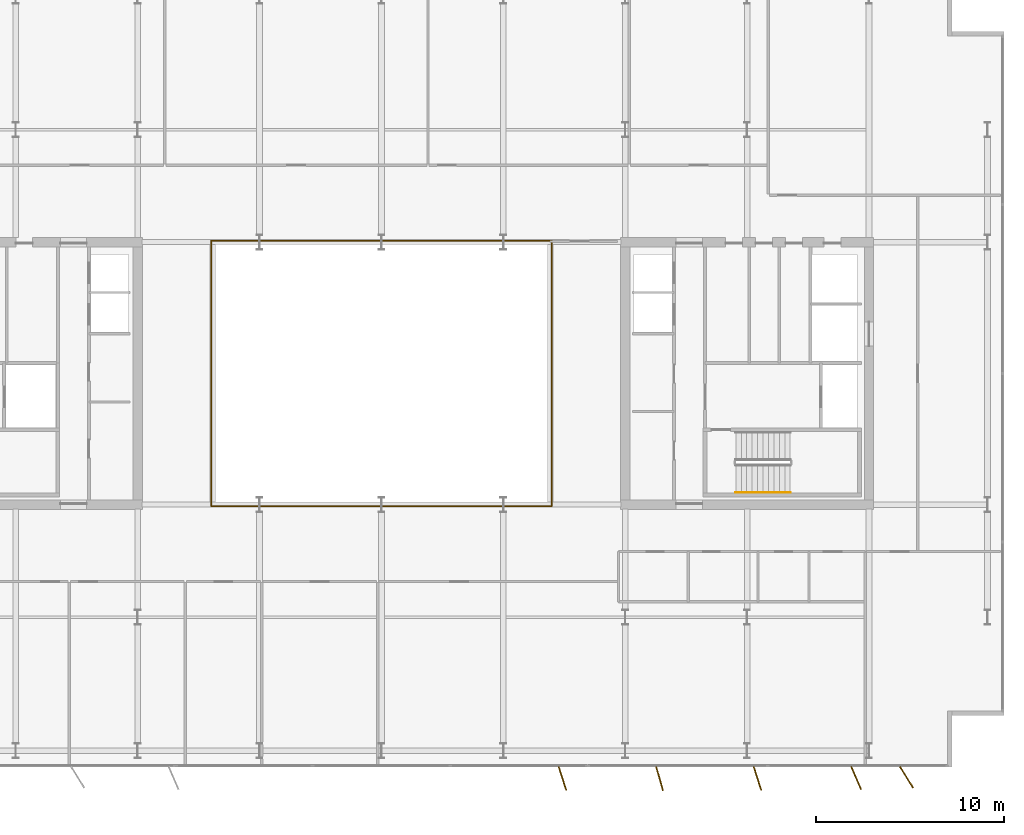
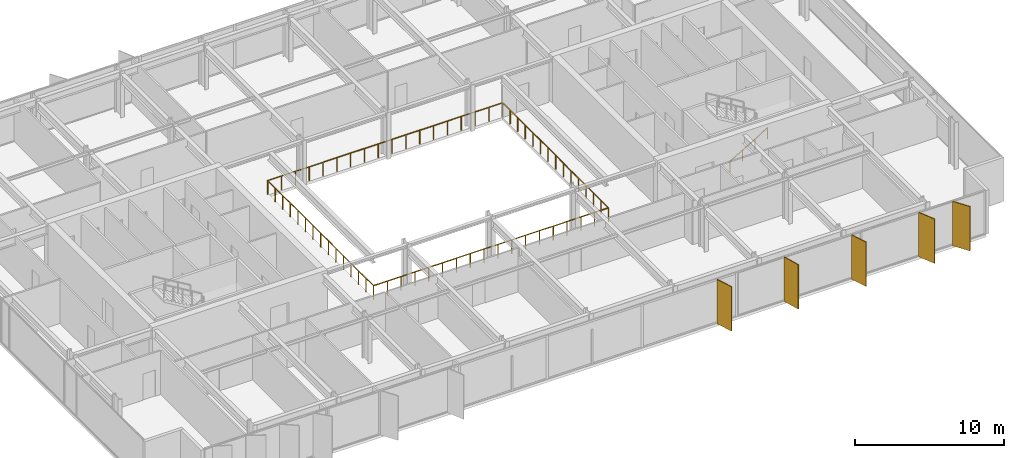
# One storey, part 21 of 23: 5 shading devices, 3 railings.
"""IFC4 building model written with IfcOpenShell, lengths in metres."""

from ifc_helpers import new_model, si_unit, direction, frame, origin, origin_2d, place, context, subcontext, project, spatial, rectangle, circle, extrude, material, layer, layer_set, type_object, element, save


model = new_model("IFC4")

# Units and contexts
model_context = context("Model", 3, precision=1e-05, world=origin(), true_north=direction((0.0, 1.0)))
body_context = subcontext(model_context, "Body", "Model", "MODEL_VIEW")
ifc_project = project(units=[si_unit("LENGTHUNIT", "METRE"), si_unit("AREAUNIT", "SQUARE_METRE"), si_unit("VOLUMEUNIT", "CUBIC_METRE"), si_unit("PLANEANGLEUNIT", "RADIAN"), si_unit("MASSUNIT", "GRAM", prefix="KILO")], contexts=[model_context])

# Site, building, storey
site_placement = place(None, origin())
site = spatial("IfcSite", under=ifc_project, at=site_placement, CompositionType="ELEMENT")
building_placement = place(site_placement, origin())
building = spatial("IfcBuilding", under=site, at=building_placement, Name="Putna Gate Headquarters", CompositionType="ELEMENT")
storey_placement = place(building_placement, frame((0.0, 0.0, 217.60009765625)))
storey = spatial("IfcBuildingStorey", under=building, at=storey_placement, Name="L54", CompositionType="ELEMENT", Elevation=217.60009765625)

# Railings
ifc_material_1 = material(Name="Anodised bronze and laminated glass atrium balustrade", Category="glass")
railing_type_1 = type_object("IfcRailingType", Name="RAIL-ATRIUM-GUARD-1150", PredefinedType="GUARDRAIL", material=ifc_material_1)
railing_1_placement = place(storey_placement, frame((29.919921875, 25.969970703125, 0.0)))
element("IfcRailing", 1, at=railing_1_placement, inside=storey, type_object=railing_type_1, Name="L54 Central Atrium Glazed Balustrade South", PredefinedType="GUARDRAIL", context=body_context, shape_type="SweptSolid", body=[
    extrude(circle(Radius=0.02392578125, at=origin_2d()), frame((0.0, 0.0, 1.1259765625), z_axis=(0.0, -1.0, 0.0), x_axis=(1.0, 0.0, 0.0)), (0.0, 0.0, 1.0), 7.050048828125),
    extrude(circle(Radius=0.02392578125, at=origin_2d()), frame((0.0, -7.050048828125, 1.1259765625), z_axis=(1.0, 0.0, 0.0), x_axis=(0.0, 1.0, 0.0)), (0.0, 0.0, 1.0), 18.16015625),
    extrude(circle(Radius=0.02392578125, at=origin_2d()), frame((18.16015625, -7.050048828125, 1.1259765625), z_axis=(0.0, 1.0, 0.0), x_axis=(-1.0, 0.0, 0.0)), (0.0, 0.0, 1.0), 7.050048828125),
    extrude(circle(Radius=0.02099609375, at=origin_2d()), origin(), (0.0, 0.0, 1.0), 1.101806640625),
    extrude(circle(Radius=0.02099609375, at=origin_2d()), frame((0.0, -1.007080078125, 0.0)), (0.0, 0.0, 1.0), 1.101806640625),
    extrude(circle(Radius=0.02099609375, at=origin_2d()), frame((0.0, -2.014404296875, 0.0)), (0.0, 0.0, 1.0), 1.101806640625),
    extrude(circle(Radius=0.02099609375, at=origin_2d()), frame((0.0, -3.021484375, 0.0)), (0.0, 0.0, 1.0), 1.101806640625),
    extrude(circle(Radius=0.02099609375, at=origin_2d()), frame((0.0, -4.028564453125, 0.0)), (0.0, 0.0, 1.0), 1.101806640625),
    extrude(circle(Radius=0.02099609375, at=origin_2d()), frame((0.0, -5.03564453125, 0.0)), (0.0, 0.0, 1.0), 1.101806640625),
    extrude(circle(Radius=0.02099609375, at=origin_2d()), frame((0.0, -6.04296875, 0.0)), (0.0, 0.0, 1.0), 1.101806640625),
    extrude(circle(Radius=0.02099609375, at=origin_2d()), frame((0.0, -7.050048828125, 0.0)), (0.0, 0.0, 1.0), 1.101806640625),
    extrude(circle(Radius=0.02099609375, at=origin_2d()), frame((1.068359375, -7.050048828125, 0.0)), (0.0, 0.0, 1.0), 1.101806640625),
    extrude(circle(Radius=0.02099609375, at=origin_2d()), frame((2.136474609375, -7.050048828125, 0.0)), (0.0, 0.0, 1.0), 1.101806640625),
    extrude(circle(Radius=0.02099609375, at=origin_2d()), frame((3.204833984375, -7.050048828125, 0.0)), (0.0, 0.0, 1.0), 1.101806640625),
    extrude(circle(Radius=0.02099609375, at=origin_2d()), frame((4.27294921875, -7.050048828125, 0.0)), (0.0, 0.0, 1.0), 1.101806640625),
    extrude(circle(Radius=0.02099609375, at=origin_2d()), frame((5.34130859375, -7.050048828125, 0.0)), (0.0, 0.0, 1.0), 1.101806640625),
    extrude(circle(Radius=0.02099609375, at=origin_2d()), frame((6.409423828125, -7.050048828125, 0.0)), (0.0, 0.0, 1.0), 1.101806640625),
    extrude(circle(Radius=0.02099609375, at=origin_2d()), frame((7.477783203125, -7.050048828125, 0.0)), (0.0, 0.0, 1.0), 1.101806640625),
    extrude(circle(Radius=0.02099609375, at=origin_2d()), frame((8.5458984375, -7.050048828125, 0.0)), (0.0, 0.0, 1.0), 1.101806640625),
    extrude(circle(Radius=0.02099609375, at=origin_2d()), frame((9.6142578125, -7.050048828125, 0.0)), (0.0, 0.0, 1.0), 1.101806640625),
    extrude(circle(Radius=0.02099609375, at=origin_2d()), frame((10.682373046875, -7.050048828125, 0.0)), (0.0, 0.0, 1.0), 1.101806640625),
    extrude(circle(Radius=0.02099609375, at=origin_2d()), frame((11.750732421875, -7.050048828125, 0.0)), (0.0, 0.0, 1.0), 1.101806640625),
    extrude(circle(Radius=0.02099609375, at=origin_2d()), frame((12.81884765625, -7.050048828125, 0.0)), (0.0, 0.0, 1.0), 1.101806640625),
    extrude(circle(Radius=0.02099609375, at=origin_2d()), frame((13.88720703125, -7.050048828125, 0.0)), (0.0, 0.0, 1.0), 1.101806640625),
    extrude(circle(Radius=0.02099609375, at=origin_2d()), frame((14.955322265625, -7.050048828125, 0.0)), (0.0, 0.0, 1.0), 1.101806640625),
    extrude(circle(Radius=0.02099609375, at=origin_2d()), frame((16.023681640625, -7.050048828125, 0.0)), (0.0, 0.0, 1.0), 1.101806640625),
    extrude(circle(Radius=0.02099609375, at=origin_2d()), frame((17.091796875, -7.050048828125, 0.0)), (0.0, 0.0, 1.0), 1.101806640625),
    extrude(circle(Radius=0.02099609375, at=origin_2d()), frame((18.16015625, -7.050048828125, 0.0)), (0.0, 0.0, 1.0), 1.101806640625),
    extrude(circle(Radius=0.02099609375, at=origin_2d()), frame((18.16015625, -6.04296875, 0.0)), (0.0, 0.0, 1.0), 1.101806640625),
    extrude(circle(Radius=0.02099609375, at=origin_2d()), frame((18.16015625, -5.03564453125, 0.0)), (0.0, 0.0, 1.0), 1.101806640625),
    extrude(circle(Radius=0.02099609375, at=origin_2d()), frame((18.16015625, -4.028564453125, 0.0)), (0.0, 0.0, 1.0), 1.101806640625),
    extrude(circle(Radius=0.02099609375, at=origin_2d()), frame((18.16015625, -3.021484375, 0.0)), (0.0, 0.0, 1.0), 1.101806640625),
    extrude(circle(Radius=0.02099609375, at=origin_2d()), frame((18.16015625, -2.014404296875, 0.0)), (0.0, 0.0, 1.0), 1.101806640625),
    extrude(circle(Radius=0.02099609375, at=origin_2d()), frame((18.16015625, -1.007080078125, 0.0)), (0.0, 0.0, 1.0), 1.101806640625),
    extrude(circle(Radius=0.02099609375, at=origin_2d()), frame((18.16015625, 0.0, 0.0)), (0.0, 0.0, 1.0), 1.101806640625),
])
railing_2_placement = place(storey_placement, frame((48.080078125, 26.030029296875, 0.0)))
element("IfcRailing", 2, at=railing_2_placement, inside=storey, type_object=railing_type_1, Name="L54 Central Atrium Glazed Balustrade North", PredefinedType="GUARDRAIL", context=body_context, shape_type="SweptSolid", body=[
    extrude(circle(Radius=0.02392578125, at=origin_2d()), frame((0.0, 0.0, 1.1259765625), z_axis=(0.0, 1.0, 0.0), x_axis=(-1.0, 0.0, 0.0)), (0.0, 0.0, 1.0), 7.050048828125),
    extrude(circle(Radius=0.02392578125, at=origin_2d()), frame((0.0, 7.050048828125, 1.1259765625), z_axis=(-1.0, 0.0, 0.0), x_axis=(0.0, -1.0, 0.0)), (0.0, 0.0, 1.0), 18.16015625),
    extrude(circle(Radius=0.02392578125, at=origin_2d()), frame((-18.16015625, 7.050048828125, 1.1259765625), z_axis=(0.0, -1.0, 0.0), x_axis=(1.0, 0.0, 0.0)), (0.0, 0.0, 1.0), 7.050048828125),
    extrude(circle(Radius=0.02099609375, at=origin_2d()), origin(), (0.0, 0.0, 1.0), 1.101806640625),
    extrude(circle(Radius=0.02099609375, at=origin_2d()), frame((0.0, 1.007080078125, 0.0)), (0.0, 0.0, 1.0), 1.101806640625),
    extrude(circle(Radius=0.02099609375, at=origin_2d()), frame((0.0, 2.014404296875, 0.0)), (0.0, 0.0, 1.0), 1.101806640625),
    extrude(circle(Radius=0.02099609375, at=origin_2d()), frame((0.0, 3.021484375, 0.0)), (0.0, 0.0, 1.0), 1.101806640625),
    extrude(circle(Radius=0.02099609375, at=origin_2d()), frame((0.0, 4.028564453125, 0.0)), (0.0, 0.0, 1.0), 1.101806640625),
    extrude(circle(Radius=0.02099609375, at=origin_2d()), frame((0.0, 5.03564453125, 0.0)), (0.0, 0.0, 1.0), 1.101806640625),
    extrude(circle(Radius=0.02099609375, at=origin_2d()), frame((0.0, 6.04296875, 0.0)), (0.0, 0.0, 1.0), 1.101806640625),
    extrude(circle(Radius=0.02099609375, at=origin_2d()), frame((0.0, 7.050048828125, 0.0)), (0.0, 0.0, 1.0), 1.101806640625),
    extrude(circle(Radius=0.02099609375, at=origin_2d()), frame((-1.068359375, 7.050048828125, 0.0)), (0.0, 0.0, 1.0), 1.101806640625),
    extrude(circle(Radius=0.02099609375, at=origin_2d()), frame((-2.136474609375, 7.050048828125, 0.0)), (0.0, 0.0, 1.0), 1.101806640625),
    extrude(circle(Radius=0.02099609375, at=origin_2d()), frame((-3.204833984375, 7.050048828125, 0.0)), (0.0, 0.0, 1.0), 1.101806640625),
    extrude(circle(Radius=0.02099609375, at=origin_2d()), frame((-4.27294921875, 7.050048828125, 0.0)), (0.0, 0.0, 1.0), 1.101806640625),
    extrude(circle(Radius=0.02099609375, at=origin_2d()), frame((-5.34130859375, 7.050048828125, 0.0)), (0.0, 0.0, 1.0), 1.101806640625),
    extrude(circle(Radius=0.02099609375, at=origin_2d()), frame((-6.409423828125, 7.050048828125, 0.0)), (0.0, 0.0, 1.0), 1.101806640625),
    extrude(circle(Radius=0.02099609375, at=origin_2d()), frame((-7.477783203125, 7.050048828125, 0.0)), (0.0, 0.0, 1.0), 1.101806640625),
    extrude(circle(Radius=0.02099609375, at=origin_2d()), frame((-8.5458984375, 7.050048828125, 0.0)), (0.0, 0.0, 1.0), 1.101806640625),
    extrude(circle(Radius=0.02099609375, at=origin_2d()), frame((-9.6142578125, 7.050048828125, 0.0)), (0.0, 0.0, 1.0), 1.101806640625),
    extrude(circle(Radius=0.02099609375, at=origin_2d()), frame((-10.682373046875, 7.050048828125, 0.0)), (0.0, 0.0, 1.0), 1.101806640625),
    extrude(circle(Radius=0.02099609375, at=origin_2d()), frame((-11.750732421875, 7.050048828125, 0.0)), (0.0, 0.0, 1.0), 1.101806640625),
    extrude(circle(Radius=0.02099609375, at=origin_2d()), frame((-12.81884765625, 7.050048828125, 0.0)), (0.0, 0.0, 1.0), 1.101806640625),
    extrude(circle(Radius=0.02099609375, at=origin_2d()), frame((-13.88720703125, 7.050048828125, 0.0)), (0.0, 0.0, 1.0), 1.101806640625),
    extrude(circle(Radius=0.02099609375, at=origin_2d()), frame((-14.955322265625, 7.050048828125, 0.0)), (0.0, 0.0, 1.0), 1.101806640625),
    extrude(circle(Radius=0.02099609375, at=origin_2d()), frame((-16.023681640625, 7.050048828125, 0.0)), (0.0, 0.0, 1.0), 1.101806640625),
    extrude(circle(Radius=0.02099609375, at=origin_2d()), frame((-17.091796875, 7.050048828125, 0.0)), (0.0, 0.0, 1.0), 1.101806640625),
    extrude(circle(Radius=0.02099609375, at=origin_2d()), frame((-18.16015625, 7.050048828125, 0.0)), (0.0, 0.0, 1.0), 1.101806640625),
    extrude(circle(Radius=0.02099609375, at=origin_2d()), frame((-18.16015625, 6.04296875, 0.0)), (0.0, 0.0, 1.0), 1.101806640625),
    extrude(circle(Radius=0.02099609375, at=origin_2d()), frame((-18.16015625, 5.03564453125, 0.0)), (0.0, 0.0, 1.0), 1.101806640625),
    extrude(circle(Radius=0.02099609375, at=origin_2d()), frame((-18.16015625, 4.028564453125, 0.0)), (0.0, 0.0, 1.0), 1.101806640625),
    extrude(circle(Radius=0.02099609375, at=origin_2d()), frame((-18.16015625, 3.021484375, 0.0)), (0.0, 0.0, 1.0), 1.101806640625),
    extrude(circle(Radius=0.02099609375, at=origin_2d()), frame((-18.16015625, 2.014404296875, 0.0)), (0.0, 0.0, 1.0), 1.101806640625),
    extrude(circle(Radius=0.02099609375, at=origin_2d()), frame((-18.16015625, 1.007080078125, 0.0)), (0.0, 0.0, 1.0), 1.101806640625),
    extrude(circle(Radius=0.02099609375, at=origin_2d()), frame((-18.16015625, 0.0, 0.0)), (0.0, 0.0, 1.0), 1.101806640625),
])
ifc_material_2 = material(Name="Brushed stainless steel handrail", Category="steel")
railing_type_2 = type_object("IfcRailingType", Name="RAIL-STAIR-HAND-900", PredefinedType="HANDRAIL", material=ifc_material_2)
railing_3_placement = place(storey_placement, frame((57.89990234375, 19.64990234375, 0.172607421875)))
element("IfcRailing", 3, at=railing_3_placement, inside=storey, type_object=railing_type_2, Name="L54 ST2 stair handrail 1", PredefinedType="HANDRAIL", context=body_context, shape_type="SweptSolid", body=[
    extrude(circle(Radius=0.02392578125, at=origin_2d()), frame((0.0, 0.0, 0.8759765625), z_axis=(0.859160404282, 0.0, 0.51170636083), x_axis=(0.0, 1.0, 0.0)), (0.0, 0.0, 1.0), 3.37548828125),
    extrude(circle(Radius=0.02099609375, at=origin_2d()), origin(), (0.0, 0.0, 1.0), 0.851806640625),
    extrude(circle(Radius=0.02099609375, at=origin_2d()), frame((0.966796875, 0.0, 0.57568359375)), (0.0, 0.0, 1.0), 0.851806640625),
    extrude(circle(Radius=0.02099609375, at=origin_2d()), frame((1.933349609375, 0.0, 1.151611328125)), (0.0, 0.0, 1.0), 0.851806640625),
    extrude(circle(Radius=0.02099609375, at=origin_2d()), frame((2.900146484375, 0.0, 1.727294921875)), (0.0, 0.0, 1.0), 0.851806640625),
])

# Shading devices
ifc_material_3 = material(Name="Anodised architectural bronze aluminium fin", Category="aluminium")
ifc_layer = layer(ifc_material_3, 0.06494140625)
ifc_layer_set = layer_set([ifc_layer], Name="Anodised architectural bronze aluminium fin")
shading_device_type = type_object("IfcShadingDeviceType", Name="SHADE-BRONZE-FIN-1320", PredefinedType="USERDEFINED", material=ifc_layer_set)
for number, where, z_axis, x_axis, name in (
    (4, (48.65380859375, 4.397216796875, -0.020263671875), (0.0, 0.0, 1.0), (0.308684994204, -0.951164325631, 0.0), "L54 Bronze Vertical Shading Fin S7"),
    (5, (53.831787109375, 4.390625, -0.020263671875), (0.0, 0.0, 1.0), (0.275637355817, -0.961261695938, 0.0), "L54 Bronze Vertical Shading Fin S8"),
    (6, (59.0537109375, 4.397216796875, -0.020263671875), (0.0, 0.0, 1.0), (0.308684994204, -0.951164325631, 0.0), "L54 Bronze Vertical Shading Fin S9"),
    (7, (64.314453125, 4.42041015625, -0.020263671875), (0.0, 0.0, 1.0), (0.400668879095, -0.916222925562, 0.0), "L54 Bronze Vertical Shading Fin S10"),
    (8, (67.000244140625, 4.465576171875, -0.020263671875), (0.0, 0.0, 1.0), (0.530659123936, -0.847585331506, 0.0), "L54 Bronze Vertical Shading Fin S11"),
):
    element("IfcShadingDevice", number, at=place(storey_placement, frame(where, z_axis=z_axis, x_axis=x_axis)), inside=storey, type_object=shading_device_type, Name=name, ObjectType="FIN", PredefinedType="USERDEFINED", context=body_context, shape_type="SweptSolid", body=[
        extrude(rectangle(XDim=1.320068359375, YDim=0.06494140625, at=origin_2d()), origin(), (0.0, 0.0, 1.0), 3.6201171875),
    ])

save(model, "model.ifc")
